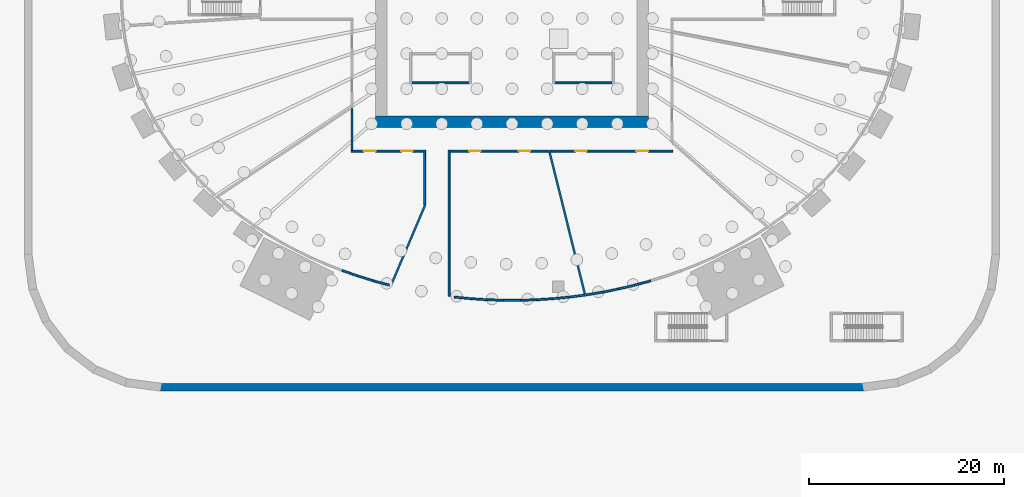
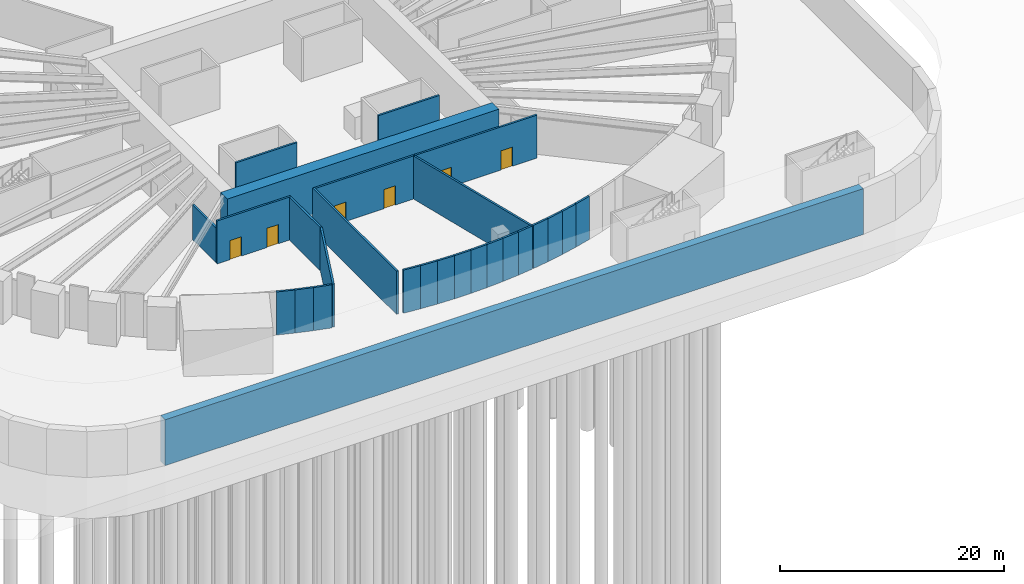
# One storey, part 3 of 14: 27 walls, 6 doors, 6 openings.
"""IFC4 building model written with IfcOpenShell, lengths in metres."""

from ifc_helpers import new_model, si_unit, direction, frame, frame_2d, origin, place, context, subcontext, project, spatial, rectangle, extrude, source, transform, mapped, material, layer, layer_set, type_object, element, fill, save


model = new_model("IFC4")

# Units and contexts
model_context = context("Model", 3, precision=1e-05, world=origin(), true_north=direction((0.0, 1.0)))
body_context = subcontext(model_context, "Body", "Model", "MODEL_VIEW")
ifc_project = project(units=[si_unit("LENGTHUNIT", "METRE"), si_unit("AREAUNIT", "SQUARE_METRE"), si_unit("VOLUMEUNIT", "CUBIC_METRE"), si_unit("PLANEANGLEUNIT", "RADIAN"), si_unit("MASSUNIT", "GRAM", prefix="KILO")], contexts=[model_context])

# Site, building, storey
site_placement = place(None, origin())
site = spatial("IfcSite", under=ifc_project, at=site_placement, CompositionType="ELEMENT")
building_placement = place(site_placement, origin())
building = spatial("IfcBuilding", under=site, at=building_placement, Name="Embergate Tower", CompositionType="ELEMENT")
storey_placement = place(building_placement, frame((0.0, 0.0, -10.0)))
storey = spatial("IfcBuildingStorey", under=building, at=storey_placement, Name="B2", CompositionType="ELEMENT", Elevation=-10.0)

# Walls
ifc_material_1 = material(Name="Concrete C40", Category="concrete")
ifc_layer_1 = layer(ifc_material_1, 0.800048828125)
ifc_layer_set_1 = layer_set([ifc_layer_1], Name="Concrete C40")
wall_type_1 = type_object("IfcWallType", Name="Basement retaining wall C40 800", PredefinedType="SOLIDWALL", material=ifc_layer_set_1)
shared_shape_1 = source(origin(), body_context, "Body", "SweptSolid", [
    extrude(rectangle(XDim=72.0517578125, YDim=0.800048828125, at=frame_2d((36.02587890625, 0.0))), origin(), (0.0, 0.0, 1.0), 5.0),
])
wall_1_placement = place(storey_placement, frame((-36.02587890625, -39.60009765625, -0.300048828125), z_axis=(0.0, 0.0, 1.0), x_axis=(1.0, 0.0, 0.0)))
element("IfcWall", 1, at=wall_1_placement, inside=storey, type_object=wall_type_1, Name="RWL-B2-020", PredefinedType="SOLIDWALL", context=body_context, shape_type="MappedRepresentation", body=[
    mapped(shared_shape_1, transform((0.0, 0.0, 0.0))),
])
ifc_material_2 = material(Name="Concrete C80", Category="concrete")
ifc_layer_2 = layer(ifc_material_2, 1.199951171875)
ifc_layer_set_2 = layer_set([ifc_layer_2], Name="Concrete C80")
wall_type_2 = type_object("IfcWallType", Name="Core outer wall C80 1200", PredefinedType="SHEAR", material=ifc_layer_set_2)
shared_shape_2 = source(origin(), body_context, "Body", "SweptSolid", [
    extrude(rectangle(XDim=28.0, YDim=1.199951171875, at=frame_2d((14.0, 0.0))), origin(), (0.0, 0.0, 1.0), 5.0),
])
wall_2_placement = place(storey_placement, frame((-14.0, -12.39990234375, -0.300048828125), z_axis=(0.0, 0.0, 1.0), x_axis=(1.0, 0.0, 0.0)))
element("IfcWall", 2, at=wall_2_placement, inside=storey, type_object=wall_type_2, Name="CW-B2-S", PredefinedType="SHEAR", context=body_context, shape_type="MappedRepresentation", body=[
    mapped(shared_shape_2, transform((0.0, 0.0, 0.0))),
])
ifc_material_3 = material(Name="Concrete C50", Category="concrete")
ifc_layer_3 = layer(ifc_material_3, 0.199951171875)
ifc_layer_set_3 = layer_set([ifc_layer_3], Name="Concrete C50")
wall_type_3 = type_object("IfcWallType", Name="Stair enclosure wall reinforced concrete 250", PredefinedType="SHEAR", material=ifc_layer_set_3)
shared_shape_3 = source(origin(), body_context, "Body", "SweptSolid", [
    extrude(rectangle(XDim=6.300048828125, YDim=0.199951171875, at=frame_2d((3.14990234375, 0.0))), origin(), (0.0, 0.0, 1.0), 4.699951171875),
])
for number, where, z_axis, x_axis, name in (
    (3, (-10.5, -8.39990234375, 0.0), (0.0, 0.0, 1.0), (1.0, 0.0, 0.0), "SE-1 wall"),
    (4, (4.199951171875, -8.39990234375, 0.0), (0.0, 0.0, 1.0), (1.0, 0.0, 0.0), "SE-1 wall"),
):
    element("IfcWall", number, at=place(storey_placement, frame(where, z_axis=z_axis, x_axis=x_axis)), inside=storey, type_object=wall_type_3, Name=name, PredefinedType="SHEAR", context=body_context, shape_type="MappedRepresentation", body=[
        mapped(shared_shape_3, transform((0.0, 0.0, 0.0))),
    ])
ifc_material_4 = material(Name="Blockwork, plastered", Category="masonry")
ifc_layer_4 = layer(ifc_material_4, 0.199951171875)
ifc_layer_set_4 = layer_set([ifc_layer_4], Name="Blockwork, plastered")
wall_type_4 = type_object("IfcWallType", Name="Fire partition wall 200 block", PredefinedType="PARTITIONING", material=ifc_layer_set_4)
shared_shape_4 = source(origin(), body_context, "Body", "SweptSolid", [
    extrude(rectangle(XDim=4.22998046875, YDim=0.199951171875, at=frame_2d((2.114990234375, 0.0))), origin(), (0.0, 0.0, 1.0), 3.800048828125),
])
wall_3_placement = place(storey_placement, frame((-16.39990234375, -15.300048828125, 0.0), z_axis=(0.0, 0.0, 1.0), x_axis=(0.0, 1.0, 0.0)))
element("IfcWall", 5, at=wall_3_placement, inside=storey, type_object=wall_type_4, Name="Partition 066", PredefinedType="PARTITIONING", context=body_context, shape_type="MappedRepresentation", body=[
    mapped(shared_shape_4, transform((0.0, 0.0, 0.0))),
])
shared_shape_5 = source(origin(), body_context, "Body", "SweptSolid", [
    extrude(rectangle(XDim=1.681884765625, YDim=0.199951171875, at=frame_2d((0.8408203125, 0.0))), origin(), (0.0, 0.0, 1.0), 4.699951171875),
])
wall_4_placement = place(storey_placement, frame((-15.839111328125, -28.18896484375, 0.0), z_axis=(0.0, 0.0, 1.0), x_axis=(-0.94358645522, 0.331126262209, 0.0)))
element("IfcWall", 6, at=wall_4_placement, inside=storey, type_object=wall_type_4, Name="Partition 074", PredefinedType="PARTITIONING", context=body_context, shape_type="MappedRepresentation", body=[
    mapped(shared_shape_5, transform((0.0, 0.0, 0.0))),
])
shared_shape_6 = source(origin(), body_context, "Body", "SweptSolid", [
    extrude(rectangle(XDim=1.69384765625, YDim=0.199951171875, at=frame_2d((0.846923828125, 0.0))), origin(), (0.0, 0.0, 1.0), 4.699951171875),
])
for number, where, z_axis, x_axis, name in (
    (7, (-14.221923828125, -28.693115234375, 0.0), (0.0, 0.0, 1.0), (-0.954684912591, 0.297618409496, 0.0), "Partition 078"),
    (8, (-4.235107421875, -30.527099609375, 0.0), (0.0, 0.0, 1.0), (-0.995241963007, 0.097434260245, 0.0), "Partition 084"),
    (9, (0.846923828125, -30.693115234375, 0.0), (0.0, 0.0, 1.0), (-1.0, 0.0, 0.0), "Partition 087"),
    (10, (5.9208984375, -30.362060546875, 0.0), (0.0, 0.0, 1.0), (-0.995241963007, -0.097434260245, 0.0), "Partition 092"),
):
    element("IfcWall", number, at=place(storey_placement, frame(where, z_axis=z_axis, x_axis=x_axis)), inside=storey, type_object=wall_type_4, Name=name, PredefinedType="PARTITIONING", context=body_context, shape_type="MappedRepresentation", body=[
        mapped(shared_shape_6, transform((0.0, 0.0, 0.0))),
    ])
shared_shape_7 = source(origin(), body_context, "Body", "SweptSolid", [
    extrude(rectangle(XDim=1.704345703125, YDim=0.199951171875, at=frame_2d((0.85205078125, 0.0))), origin(), (0.0, 0.0, 1.0), 4.699951171875),
])
for number, where, z_axis, x_axis, name in (
    (11, (-12.577880859375, -29.14208984375, 0.0), (0.0, 0.0, 1.0), (-0.964674507272, 0.263444671647, 0.0), "Partition 079"),
    (12, (14.221923828125, -28.693115234375, 0.0), (0.0, 0.0, 1.0), (-0.964674507272, -0.263444671647, 0.0), "Partition 102"),
):
    element("IfcWall", number, at=place(storey_placement, frame(where, z_axis=z_axis, x_axis=x_axis)), inside=storey, type_object=wall_type_4, Name=name, PredefinedType="PARTITIONING", context=body_context, shape_type="MappedRepresentation", body=[
        mapped(shared_shape_7, transform((0.0, 0.0, 0.0))),
    ])
shared_shape_8 = source(origin(), body_context, "Body", "SweptSolid", [
    extrude(rectangle(XDim=8.89794921875, YDim=0.199951171875, at=frame_2d((4.448974609375, 0.0))), origin(), (0.0, 0.0, 1.0), 4.699951171875),
])
wall_5_placement = place(storey_placement, frame((-8.930908203125, -20.992919921875, 0.0), z_axis=(0.0, 0.0, 1.0), x_axis=(-0.391450869621, -0.920199009276, 0.0)))
element("IfcWall", 13, at=wall_5_placement, inside=storey, type_object=wall_type_4, Name="Partition 080", PredefinedType="PARTITIONING", context=body_context, shape_type="MappedRepresentation", body=[
    mapped(shared_shape_8, transform((0.0, 0.0, 0.0))),
])
shared_shape_9 = source(origin(), body_context, "Body", "SweptSolid", [
    extrude(rectangle(XDim=5.43798828125, YDim=0.199951171875, at=frame_2d((2.718994140625, 0.0))), origin(), (0.0, 0.0, 1.0), 4.699951171875),
])
wall_6_placement = place(storey_placement, frame((-8.949951171875, -20.93798828125, 0.0), z_axis=(0.0, 0.0, 1.0), x_axis=(0.0, 1.0, 0.0)))
element("IfcWall", 14, at=wall_6_placement, inside=storey, type_object=wall_type_4, Name="Partition 081", PredefinedType="PARTITIONING", context=body_context, shape_type="MappedRepresentation", body=[
    mapped(shared_shape_9, transform((0.0, 0.0, 0.0))),
])

# Wall, openings, doors
shared_shape_10 = source(origin(), body_context, "Body", "SweptSolid", [
    extrude(rectangle(XDim=7.64990234375, YDim=0.199951171875, at=frame_2d((3.824951171875, 0.0))), origin(), (0.0, 0.0, 1.0), 4.699951171875),
])
wall_7_placement = place(storey_placement, frame((-8.85009765625, -15.39990234375, 0.0), z_axis=(0.0, 0.0, 1.0), x_axis=(-1.0, 0.0, 0.0)))
wall_7 = element("IfcWall", 15, at=wall_7_placement, inside=storey, type_object=wall_type_4, Name="Partition 082", PredefinedType="PARTITIONING", context=body_context, shape_type="MappedRepresentation", body=[
    mapped(shared_shape_10, transform((0.0, 0.0, 0.0))),
])
shared_shape_11 = source(origin(), body_context, "Body", "SweptSolid", [
    extrude(rectangle(XDim=1.199951171875, YDim=2.10009765625, at=frame_2d((0.60009765625, 1.050048828125))), frame((0.0, 0.10986328125, 0.0), z_axis=(0.0, -1.0, 0.0), x_axis=(1.0, 0.0, 0.0)), (0.0, 0.0, 1.0), 0.219970703125),
])
opening_1_placement = place(wall_7_placement, frame((1.31201171875, 0.0, 0.0)))
opening_1 = element("IfcOpeningElement", 16, at=opening_1_placement, cuts=wall_7, Name="Opening DS-323", PredefinedType="OPENING", context=body_context, shape_type="MappedRepresentation", body=[
    mapped(shared_shape_11, transform((0.0, 0.0, 0.0))),
])
opening_2_placement = place(wall_7_placement, frame((5.136962890625, 0.0, 0.0)))
opening_2 = element("IfcOpeningElement", 17, at=opening_2_placement, cuts=wall_7, Name="Opening DS-324", PredefinedType="OPENING", context=body_context, shape_type="MappedRepresentation", body=[
    mapped(shared_shape_11, transform((0.0, 0.0, 0.0))),
])
ifc_material_5 = material(Name="Timber door leaf, steel frame", Category="steel")
door_type = type_object("IfcDoorType", Name="Plant door 1200x2100", OperationType="SINGLE_SWING_LEFT", PredefinedType="DOOR", material=ifc_material_5)
shared_shape_12 = source(origin(), body_context, "Body", "SweptSolid", [
    extrude(rectangle(XDim=1.199951171875, YDim=2.10009765625, at=frame_2d((0.60009765625, 1.050048828125))), frame((0.0, 0.02490234375, 0.0), z_axis=(0.0, -1.0, 0.0), x_axis=(1.0, 0.0, 0.0)), (0.0, 0.0, 1.0), 0.050048828125),
])
door_1_placement = place(opening_1_placement, origin())
door_1 = element("IfcDoor", 18, at=door_1_placement, inside=storey, type_object=door_type, Name="Door to Pump plant room", OperationType="SINGLE_SWING_LEFT", OverallHeight=2.10009765625, OverallWidth=1.199951171875, PredefinedType="DOOR", context=body_context, shape_type="MappedRepresentation", body=[
    mapped(shared_shape_12, transform((0.0, 0.0, 0.0))),
])
fill(opening_1, door_1)
door_2_placement = place(opening_2_placement, origin())
door_2 = element("IfcDoor", 19, at=door_2_placement, inside=storey, type_object=door_type, Name="Door to Pump plant room", OperationType="SINGLE_SWING_LEFT", OverallHeight=2.10009765625, OverallWidth=1.199951171875, PredefinedType="DOOR", context=body_context, shape_type="MappedRepresentation", body=[
    mapped(shared_shape_12, transform((0.0, 0.0, 0.0))),
])
fill(opening_2, door_2)

# Walls
shared_shape_13 = source(origin(), body_context, "Body", "SweptSolid", [
    extrude(rectangle(XDim=14.991943359375, YDim=0.199951171875, at=frame_2d((7.49609375, 0.0))), origin(), (0.0, 0.0, 1.0), 4.699951171875),
])
wall_8_placement = place(storey_placement, frame((-6.449951171875, -15.300048828125, 0.0), z_axis=(0.0, 0.0, 1.0), x_axis=(0.0, -1.0, 0.0)))
element("IfcWall", 20, at=wall_8_placement, inside=storey, type_object=wall_type_4, Name="Partition 083", PredefinedType="PARTITIONING", context=body_context, shape_type="MappedRepresentation", body=[
    mapped(shared_shape_13, transform((0.0, 0.0, 0.0))),
])
shared_shape_14 = source(origin(), body_context, "Body", "SweptSolid", [
    extrude(rectangle(XDim=1.69775390625, YDim=0.199951171875, at=frame_2d((0.848876953125, 0.0))), origin(), (0.0, 0.0, 1.0), 4.699951171875),
])
for number, where, z_axis, x_axis, name in (
    (21, (-2.541015625, -30.637939453125, 0.0), (0.0, 0.0, 1.0), (-0.997866481859, 0.065287704678, 0.0), "Partition 085"),
    (22, (4.235107421875, -30.527099609375, 0.0), (0.0, 0.0, 1.0), (-0.997866481859, -0.065287704678, 0.0), "Partition 091"),
):
    element("IfcWall", number, at=place(storey_placement, frame(where, z_axis=z_axis, x_axis=x_axis)), inside=storey, type_object=wall_type_4, Name=name, PredefinedType="PARTITIONING", context=body_context, shape_type="MappedRepresentation", body=[
        mapped(shared_shape_14, transform((0.0, 0.0, 0.0))),
    ])
shared_shape_15 = source(origin(), body_context, "Body", "SweptSolid", [
    extrude(rectangle(XDim=1.695068359375, YDim=0.199951171875, at=frame_2d((0.84765625, 0.0))), origin(), (0.0, 0.0, 1.0), 4.699951171875),
])
for number, where, z_axis, x_axis, name in (
    (23, (-0.846923828125, -30.693115234375, 0.0), (0.0, 0.0, 1.0), (-0.999470034304, 0.032552273779, 0.0), "Partition 086"),
    (24, (2.541015625, -30.637939453125, 0.0), (0.0, 0.0, 1.0), (-0.999470034304, -0.032552273779, 0.0), "Partition 088"),
    (25, (10.93701171875, -29.530029296875, 0.0), (0.0, 0.0, 1.0), (-0.980514146834, -0.196448486528, 0.0), "Partition 097"),
):
    element("IfcWall", number, at=place(storey_placement, frame(where, z_axis=z_axis, x_axis=x_axis)), inside=storey, type_object=wall_type_4, Name=name, PredefinedType="PARTITIONING", context=body_context, shape_type="MappedRepresentation", body=[
        mapped(shared_shape_15, transform((0.0, 0.0, 0.0))),
    ])

# Wall, openings, doors
shared_shape_16 = source(origin(), body_context, "Body", "SweptSolid", [
    extrude(rectangle(XDim=10.177001953125, YDim=0.199951171875, at=frame_2d((5.08837890625, 0.0))), origin(), (0.0, 0.0, 1.0), 4.699951171875),
])
wall_9_placement = place(storey_placement, frame((3.826904296875, -15.39990234375, 0.0), z_axis=(0.0, 0.0, 1.0), x_axis=(-1.0, 0.0, 0.0)))
wall_9 = element("IfcWall", 26, at=wall_9_placement, inside=storey, type_object=wall_type_4, Name="Partition 089", PredefinedType="PARTITIONING", context=body_context, shape_type="MappedRepresentation", body=[
    mapped(shared_shape_16, transform((0.0, 0.0, 0.0))),
])
opening_3_placement = place(wall_9_placement, frame((1.944091796875, 0.0, 0.0)))
opening_3 = element("IfcOpeningElement", 27, at=opening_3_placement, cuts=wall_9, Name="Opening DS-325", PredefinedType="OPENING", context=body_context, shape_type="MappedRepresentation", body=[
    mapped(shared_shape_11, transform((0.0, 0.0, 0.0))),
])
opening_4_placement = place(wall_9_placement, frame((7.032958984375, 0.0, 0.0)))
opening_4 = element("IfcOpeningElement", 28, at=opening_4_placement, cuts=wall_9, Name="Opening DS-326", PredefinedType="OPENING", context=body_context, shape_type="MappedRepresentation", body=[
    mapped(shared_shape_11, transform((0.0, 0.0, 0.0))),
])
door_3_placement = place(opening_3_placement, origin())
door_3 = element("IfcDoor", 29, at=door_3_placement, inside=storey, type_object=door_type, Name="Door to Fire pump room", OperationType="SINGLE_SWING_LEFT", OverallHeight=2.10009765625, OverallWidth=1.199951171875, PredefinedType="DOOR", context=body_context, shape_type="MappedRepresentation", body=[
    mapped(shared_shape_12, transform((0.0, 0.0, 0.0))),
])
fill(opening_3, door_3)
door_4_placement = place(opening_4_placement, origin())
door_4 = element("IfcDoor", 30, at=door_4_placement, inside=storey, type_object=door_type, Name="Door to Fire pump room", OperationType="SINGLE_SWING_LEFT", OverallHeight=2.10009765625, OverallWidth=1.199951171875, PredefinedType="DOOR", context=body_context, shape_type="MappedRepresentation", body=[
    mapped(shared_shape_12, transform((0.0, 0.0, 0.0))),
])
fill(opening_4, door_4)

# Walls
shared_shape_17 = source(origin(), body_context, "Body", "SweptSolid", [
    extrude(rectangle(XDim=15.003662109375, YDim=0.199951171875, at=frame_2d((7.501953125, 0.0))), origin(), (0.0, 0.0, 1.0), 4.699951171875),
])
wall_10_placement = place(storey_placement, frame((3.85107421875, -15.4970703125, 0.0), z_axis=(0.0, 0.0, 1.0), x_axis=(0.241134069731, -0.970491813677, 0.0)))
element("IfcWall", 31, at=wall_10_placement, inside=storey, type_object=wall_type_4, Name="Partition 090", PredefinedType="PARTITIONING", context=body_context, shape_type="MappedRepresentation", body=[
    mapped(shared_shape_17, transform((0.0, 0.0, 0.0))),
])
shared_shape_18 = source(origin(), body_context, "Body", "SweptSolid", [
    extrude(rectangle(XDim=1.585693359375, YDim=0.199951171875, at=frame_2d((0.79296875, 0.0))), origin(), (0.0, 0.0, 1.0), 4.699951171875),
])
wall_11_placement = place(storey_placement, frame((7.492919921875, -30.155029296875, 0.0), z_axis=(0.0, 0.0, 1.0), x_axis=(-0.991439090556, -0.130570018449, 0.0)))
element("IfcWall", 32, at=wall_11_placement, inside=storey, type_object=wall_type_4, Name="Partition 095", PredefinedType="PARTITIONING", context=body_context, shape_type="MappedRepresentation", body=[
    mapped(shared_shape_18, transform((0.0, 0.0, 0.0))),
])
shared_shape_19 = source(origin(), body_context, "Body", "SweptSolid", [
    extrude(rectangle(XDim=1.700927734375, YDim=0.199951171875, at=frame_2d((0.8505859375, 0.0))), origin(), (0.0, 0.0, 1.0), 4.699951171875),
])
wall_12_placement = place(storey_placement, frame((9.27490234375, -29.863037109375, 0.0), z_axis=(0.0, 0.0, 1.0), x_axis=(-0.986544804166, -0.163491129339, 0.0)))
element("IfcWall", 33, at=wall_12_placement, inside=storey, type_object=wall_type_4, Name="Partition 096", PredefinedType="PARTITIONING", context=body_context, shape_type="MappedRepresentation", body=[
    mapped(shared_shape_19, transform((0.0, 0.0, 0.0))),
])
shared_shape_20 = source(origin(), body_context, "Body", "SweptSolid", [
    extrude(rectangle(XDim=1.68603515625, YDim=0.199951171875, at=frame_2d((0.843017578125, 0.0))), origin(), (0.0, 0.0, 1.0), 4.699951171875),
])
wall_13_placement = place(storey_placement, frame((12.577880859375, -29.14208984375, 0.0), z_axis=(0.0, 0.0, 1.0), x_axis=(-0.973171645808, -0.230080307274, 0.0)))
element("IfcWall", 34, at=wall_13_placement, inside=storey, type_object=wall_type_4, Name="Partition 098", PredefinedType="PARTITIONING", context=body_context, shape_type="MappedRepresentation", body=[
    mapped(shared_shape_20, transform((0.0, 0.0, 0.0))),
])

# Wall, openings, doors
shared_shape_21 = source(origin(), body_context, "Body", "SweptSolid", [
    extrude(rectangle(XDim=12.56298828125, YDim=0.199951171875, at=frame_2d((6.281494140625, 0.0))), origin(), (0.0, 0.0, 1.0), 4.699951171875),
])
wall_14_placement = place(storey_placement, frame((16.5, -15.39990234375, 0.0), z_axis=(0.0, 0.0, 1.0), x_axis=(-1.0, 0.0, 0.0)))
wall_14 = element("IfcWall", 35, at=wall_14_placement, inside=storey, type_object=wall_type_4, Name="Partition 109", PredefinedType="PARTITIONING", context=body_context, shape_type="MappedRepresentation", body=[
    mapped(shared_shape_21, transform((0.0, 0.0, 0.0))),
])
opening_5_placement = place(wall_14_placement, frame((2.541015625, 0.0, 0.0)))
opening_5 = element("IfcOpeningElement", 36, at=opening_5_placement, cuts=wall_14, Name="Opening DS-327", PredefinedType="OPENING", context=body_context, shape_type="MappedRepresentation", body=[
    mapped(shared_shape_11, transform((0.0, 0.0, 0.0))),
])
opening_6_placement = place(wall_14_placement, frame((8.822021484375, 0.0, 0.0)))
opening_6 = element("IfcOpeningElement", 37, at=opening_6_placement, cuts=wall_14, Name="Opening DS-328", PredefinedType="OPENING", context=body_context, shape_type="MappedRepresentation", body=[
    mapped(shared_shape_11, transform((0.0, 0.0, 0.0))),
])
door_5_placement = place(opening_5_placement, origin())
door_5 = element("IfcDoor", 38, at=door_5_placement, inside=storey, type_object=door_type, Name="Door to Transformer room", OperationType="SINGLE_SWING_LEFT", OverallHeight=2.10009765625, OverallWidth=1.199951171875, PredefinedType="DOOR", context=body_context, shape_type="MappedRepresentation", body=[
    mapped(shared_shape_12, transform((0.0, 0.0, 0.0))),
])
fill(opening_5, door_5)
door_6_placement = place(opening_6_placement, origin())
door_6 = element("IfcDoor", 39, at=door_6_placement, inside=storey, type_object=door_type, Name="Door to Transformer room", OperationType="SINGLE_SWING_LEFT", OverallHeight=2.10009765625, OverallWidth=1.199951171875, PredefinedType="DOOR", context=body_context, shape_type="MappedRepresentation", body=[
    mapped(shared_shape_12, transform((0.0, 0.0, 0.0))),
])
fill(opening_6, door_6)

save(model, "model.ifc")
